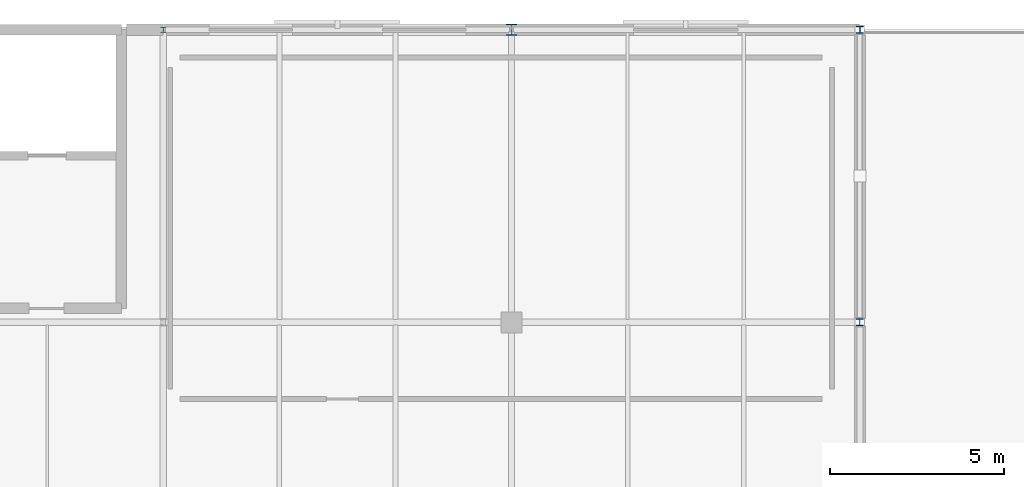
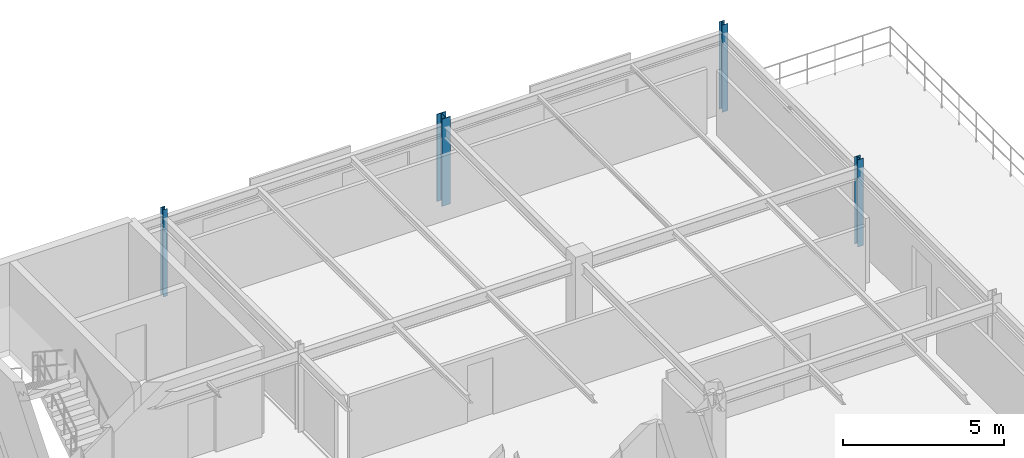
# One storey, part 10 of 23: 4 columns.
"""IFC4 building model written with IfcOpenShell, lengths in metres."""

from ifc_helpers import new_model, si_unit, derived_unit, direction, frame, origin, origin_2d_with_axis, place, context, subcontext, project, spatial, i_section, extrude, material, material_profile, profile_set, type_object, element, save


model = new_model("IFC4")

# Units and contexts
model_context = context("Model", 3, precision=1e-05, world=origin(), true_north=direction((0.0, 1.0)))
body_context = subcontext(model_context, "Body", "Model", "MODEL_VIEW")
ifc_project = project(units=[si_unit("LENGTHUNIT", "METRE"), si_unit("AREAUNIT", "SQUARE_METRE"), si_unit("VOLUMEUNIT", "CUBIC_METRE"), si_unit("PLANEANGLEUNIT", "RADIAN"), si_unit("MASSUNIT", "GRAM", prefix="KILO"), derived_unit("THERMALTRANSMITTANCEUNIT", [(si_unit("POWERUNIT", "WATT"), 1), (si_unit("LENGTHUNIT", "METRE"), -2), (si_unit("THERMODYNAMICTEMPERATUREUNIT", "KELVIN"), -1)])], contexts=[model_context])

# Site, building, storey
site_placement = place(None, origin())
site = spatial("IfcSite", under=ifc_project, at=site_placement, CompositionType="ELEMENT")
building_placement = place(site_placement, origin())
building = spatial("IfcBuilding", under=site, at=building_placement, Name="Cinnabar Yard Market Hall", CompositionType="ELEMENT")
storey_placement = place(building_placement, frame((0.0, 0.0, 12.0)))
storey = spatial("IfcBuildingStorey", under=building, at=storey_placement, Name="L03", CompositionType="ELEMENT", Elevation=12.0)

# Columns
ifc_material_1 = material(Name="Steel Grade 350 (350 MPa)", Category="steel")
ifc_material_profile_1 = material_profile(ifc_material_1, i_section(OverallWidth=0.311279296875, OverallDepth=0.3271484375, WebThickness=0.015625, FlangeThickness=0.02490234375, FilletRadius=0.0166015625, at=origin_2d_with_axis()), Name="310UC158")
ifc_profile_set_1 = profile_set([ifc_material_profile_1], Name="Steel Grade 350 (350 MPa)")
column_type_1 = type_object("IfcColumnType", Name="COL-C06E", PredefinedType="COLUMN", material=ifc_profile_set_1)
column_1_placement = place(storey_placement, frame((146.0, 138.0, 0.0), z_axis=(0.0, 0.0, 1.0), x_axis=(1.0, 0.0, 0.0)))
element("IfcColumn", 1, at=column_1_placement, inside=storey, type_object=column_type_1, Name="Wing Column V3-09-05 L03", PredefinedType="COLUMN", context=body_context, shape_type="SweptSolid", body=[
    extrude(i_section(OverallWidth=0.311279296875, OverallDepth=0.3271484375, WebThickness=0.015625, FlangeThickness=0.02490234375, FilletRadius=0.0166015625, at=origin_2d_with_axis()), origin(), (0.0, 0.0, 1.0), 3.300048828125),
])
ifc_material_2 = material(Name="Steel Grade 300 (300 MPa)", Category="steel")
ifc_material_profile_2 = material_profile(ifc_material_2, i_section(OverallWidth=0.203369140625, OverallDepth=0.203369140625, WebThickness=0.00732421875, FlangeThickness=0.010986328125, FilletRadius=0.011474609375, at=origin_2d_with_axis()), Name="200UC46.2")
ifc_profile_set_2 = profile_set([ifc_material_profile_2], Name="Steel Grade 300 (300 MPa)")
column_type_2 = type_object("IfcColumnType", Name="COL-C13E", PredefinedType="COLUMN", material=ifc_profile_set_2)
column_2_placement = place(storey_placement, frame((156.0, 129.60009765625, 0.0), z_axis=(0.0, 0.0, 1.0), x_axis=(1.0, 0.0, 0.0)))
element("IfcColumn", 2, at=column_2_placement, inside=storey, type_object=column_type_2, Name="Wing Column V3-10-04 L03", PredefinedType="COLUMN", context=body_context, shape_type="SweptSolid", body=[
    extrude(i_section(OverallWidth=0.203369140625, OverallDepth=0.203369140625, WebThickness=0.00732421875, FlangeThickness=0.010986328125, FilletRadius=0.011474609375, at=origin_2d_with_axis()), origin(), (0.0, 0.0, 1.0), 3.300048828125),
])
ifc_material_profile_3 = material_profile(ifc_material_2, i_section(OverallWidth=0.205078125, OverallDepth=0.209716796875, WebThickness=0.00927734375, FlangeThickness=0.01416015625, FilletRadius=0.011474609375, at=origin_2d_with_axis()), Name="200UC59.5")
ifc_profile_set_3 = profile_set([ifc_material_profile_3], Name="Steel Grade 300 (300 MPa)")
column_type_3 = type_object("IfcColumnType", Name="COL-C17E", PredefinedType="COLUMN", material=ifc_profile_set_3)
column_3_placement = place(storey_placement, frame((156.0, 138.0, 0.0), z_axis=(0.0, 0.0, 1.0), x_axis=(1.0, 0.0, 0.0)))
element("IfcColumn", 3, at=column_3_placement, inside=storey, type_object=column_type_3, Name="Wing Column V3-10-05 L03", PredefinedType="COLUMN", context=body_context, shape_type="SweptSolid", body=[
    extrude(i_section(OverallWidth=0.205078125, OverallDepth=0.209716796875, WebThickness=0.00927734375, FlangeThickness=0.01416015625, FilletRadius=0.011474609375, at=origin_2d_with_axis()), origin(), (0.0, 0.0, 1.0), 3.300048828125),
])
ifc_material_profile_4 = material_profile(ifc_material_2, i_section(OverallWidth=0.15283203125, OverallDepth=0.15771484375, WebThickness=0.006591796875, FlangeThickness=0.009521484375, FilletRadius=0.0087890625, at=origin_2d_with_axis()), Name="150UC30.0")
ifc_profile_set_4 = profile_set([ifc_material_profile_4], Name="Steel Grade 300 (300 MPa)")
column_type_4 = type_object("IfcColumnType", Name="COL-C18E", PredefinedType="COLUMN", material=ifc_profile_set_4)
column_4_placement = place(storey_placement, frame((136.0, 138.0, 0.0), z_axis=(0.0, 0.0, 1.0), x_axis=(1.0, 0.0, 0.0)))
element("IfcColumn", 4, at=column_4_placement, inside=storey, type_object=column_type_4, Name="Wing Column V3-08-05 L03", PredefinedType="COLUMN", context=body_context, shape_type="SweptSolid", body=[
    extrude(i_section(OverallWidth=0.15283203125, OverallDepth=0.15771484375, WebThickness=0.006591796875, FlangeThickness=0.009521484375, FilletRadius=0.0087890625, at=origin_2d_with_axis()), origin(), (0.0, 0.0, 1.0), 3.300048828125),
])

save(model, "model.ifc")
